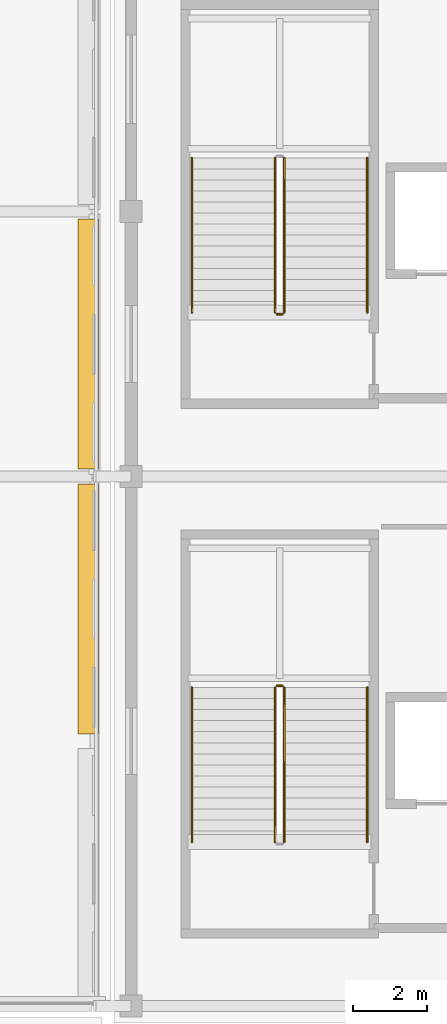
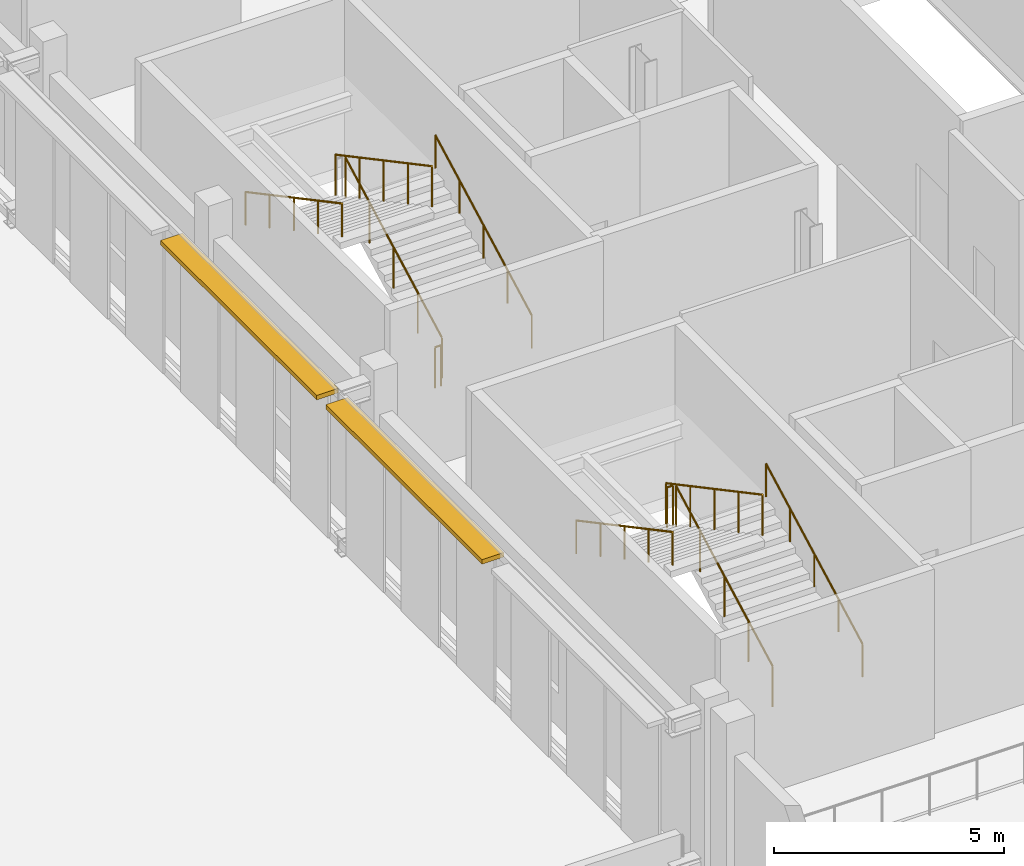
# One storey, part 52 of 74: 10 railings, 2 shading devices.
"""IFC4 building model written with IfcOpenShell, lengths in metres."""

from ifc_helpers import new_model, si_unit, direction, frame, origin, origin_2d, place, context, subcontext, project, spatial, rectangle, circle, extrude, material, type_object, element, save


model = new_model("IFC4")

# Units and contexts
model_context = context("Model", 3, precision=1e-05, world=origin(), true_north=direction((0.0, 1.0)))
body_context = subcontext(model_context, "Body", "Model", "MODEL_VIEW")
ifc_project = project(units=[si_unit("LENGTHUNIT", "METRE"), si_unit("AREAUNIT", "SQUARE_METRE"), si_unit("VOLUMEUNIT", "CUBIC_METRE"), si_unit("PLANEANGLEUNIT", "RADIAN"), si_unit("MASSUNIT", "GRAM", prefix="KILO")], contexts=[model_context])

# Site, building, storey
site_placement = place(None, origin())
site = spatial("IfcSite", under=ifc_project, at=site_placement, CompositionType="ELEMENT")
building_placement = place(site_placement, origin())
building = spatial("IfcBuilding", under=site, at=building_placement, Name="Koshinbarg Plaza Stadium", CompositionType="ELEMENT")
storey_placement = place(building_placement, frame((0.0, 0.0, 15.0)))
storey = spatial("IfcBuildingStorey", under=building, at=storey_placement, Name="L03", CompositionType="ELEMENT", Elevation=15.0)

# Railings
ifc_material_1 = material(Name="Galvanized painted steel guardrail", Category="steel")
railing_type_1 = type_object("IfcRailingType", Name="RL-GUARD-1100", PredefinedType="GUARDRAIL", material=ifc_material_1)
railing_1_placement = place(storey_placement, frame((28.760009765625, 29.9599609375, 0.159912109375)))
element("IfcRailing", 1, at=railing_1_placement, inside=storey, type_object=railing_type_1, Name="L03 C01 stair guard 1", PredefinedType="GUARDRAIL", context=body_context, shape_type="SweptSolid", body=[
    extrude(circle(Radius=0.02392578125, at=origin_2d()), frame((0.0, 0.0, 1.076171875), z_axis=(0.0, 0.882351521365, 0.470590897432), x_axis=(-1.0, 0.0, 0.0)), (0.0, 0.0, 1.0), 4.760009765625),
    extrude(circle(Radius=0.02099609375, at=origin_2d()), origin(), (0.0, 0.0, 1.0), 1.052001953125),
    extrude(circle(Radius=0.02099609375, at=origin_2d()), frame((0.0, 1.050048828125, 0.56005859375)), (0.0, 0.0, 1.0), 1.052001953125),
    extrude(circle(Radius=0.02099609375, at=origin_2d()), frame((0.0, 2.10009765625, 1.1201171875)), (0.0, 0.0, 1.0), 1.052001953125),
    extrude(circle(Radius=0.02099609375, at=origin_2d()), frame((0.0, 3.14990234375, 1.679931640625)), (0.0, 0.0, 1.0), 1.052001953125),
    extrude(circle(Radius=0.02099609375, at=origin_2d()), frame((0.0, 4.199951171875, 2.239990234375)), (0.0, 0.0, 1.0), 1.052001953125),
])
railing_2_placement = place(storey_placement, frame((28.7099609375, 34.2099609375, 2.39990234375)))
element("IfcRailing", 2, at=railing_2_placement, inside=storey, type_object=railing_type_1, Name="L03 C01 stair guard 2", PredefinedType="GUARDRAIL", context=body_context, shape_type="SweptSolid", body=[
    extrude(circle(Radius=0.02392578125, at=origin_2d()), frame((0.0, 0.0, 1.076171875), z_axis=(-1.0, 0.0, 0.0), x_axis=(0.0, -1.0, 0.0)), (0.0, 0.0, 1.0), 0.14990234375),
    extrude(circle(Radius=0.02099609375, at=origin_2d()), origin(), (0.0, 0.0, 1.0), 1.052001953125),
    extrude(circle(Radius=0.02099609375, at=origin_2d()), frame((-0.14990234375, 0.0, 0.0)), (0.0, 0.0, 1.0), 1.052001953125),
])
railing_3_placement = place(storey_placement, frame((28.510009765625, 34.159912109375, 2.56005859375)))
element("IfcRailing", 3, at=railing_3_placement, inside=storey, type_object=railing_type_1, Name="L03 C01 stair guard 3", PredefinedType="GUARDRAIL", context=body_context, shape_type="SweptSolid", body=[
    extrude(circle(Radius=0.02392578125, at=origin_2d()), frame((0.0, 0.0, 1.076171875), z_axis=(0.0, -0.882351521365, 0.470590897432), x_axis=(1.0, 0.0, 0.0)), (0.0, 0.0, 1.0), 4.760009765625),
    extrude(circle(Radius=0.02099609375, at=origin_2d()), origin(), (0.0, 0.0, 1.0), 1.052001953125),
    extrude(circle(Radius=0.02099609375, at=origin_2d()), frame((0.0, -1.050048828125, 0.56005859375)), (0.0, 0.0, 1.0), 1.052001953125),
    extrude(circle(Radius=0.02099609375, at=origin_2d()), frame((0.0, -2.10009765625, 1.1201171875)), (0.0, 0.0, 1.0), 1.052001953125),
    extrude(circle(Radius=0.02099609375, at=origin_2d()), frame((0.0, -3.14990234375, 1.679931640625)), (0.0, 0.0, 1.0), 1.052001953125),
    extrude(circle(Radius=0.02099609375, at=origin_2d()), frame((0.0, -4.199951171875, 2.239990234375)), (0.0, 0.0, 1.0), 1.052001953125),
])
railing_4_placement = place(storey_placement, frame((28.760009765625, 44.360107421875, 0.159912109375)))
element("IfcRailing", 4, at=railing_4_placement, inside=storey, type_object=railing_type_1, Name="L03 C02 stair guard 1", PredefinedType="GUARDRAIL", context=body_context, shape_type="SweptSolid", body=[
    extrude(circle(Radius=0.02392578125, at=origin_2d()), frame((0.0, 0.0, 1.076171875), z_axis=(0.0, 0.882351521365, 0.470590897432), x_axis=(-1.0, 0.0, 0.0)), (0.0, 0.0, 1.0), 4.760009765625),
    extrude(circle(Radius=0.02099609375, at=origin_2d()), origin(), (0.0, 0.0, 1.0), 1.052001953125),
    extrude(circle(Radius=0.02099609375, at=origin_2d()), frame((0.0, 1.050048828125, 0.56005859375)), (0.0, 0.0, 1.0), 1.052001953125),
    extrude(circle(Radius=0.02099609375, at=origin_2d()), frame((0.0, 2.10009765625, 1.1201171875)), (0.0, 0.0, 1.0), 1.052001953125),
    extrude(circle(Radius=0.02099609375, at=origin_2d()), frame((0.0, 3.14990234375, 1.679931640625)), (0.0, 0.0, 1.0), 1.052001953125),
    extrude(circle(Radius=0.02099609375, at=origin_2d()), frame((0.0, 4.199951171875, 2.239990234375)), (0.0, 0.0, 1.0), 1.052001953125),
])
railing_5_placement = place(storey_placement, frame((28.510009765625, 48.56005859375, 2.56005859375)))
element("IfcRailing", 5, at=railing_5_placement, inside=storey, type_object=railing_type_1, Name="L03 C02 stair guard 3", PredefinedType="GUARDRAIL", context=body_context, shape_type="SweptSolid", body=[
    extrude(circle(Radius=0.02392578125, at=origin_2d()), frame((0.0, 0.0, 1.076171875), z_axis=(0.0, -0.882351521365, 0.470590897432), x_axis=(1.0, 0.0, 0.0)), (0.0, 0.0, 1.0), 4.760009765625),
    extrude(circle(Radius=0.02099609375, at=origin_2d()), origin(), (0.0, 0.0, 1.0), 1.052001953125),
    extrude(circle(Radius=0.02099609375, at=origin_2d()), frame((0.0, -1.050048828125, 0.56005859375)), (0.0, 0.0, 1.0), 1.052001953125),
    extrude(circle(Radius=0.02099609375, at=origin_2d()), frame((0.0, -2.10009765625, 1.1201171875)), (0.0, 0.0, 1.0), 1.052001953125),
    extrude(circle(Radius=0.02099609375, at=origin_2d()), frame((0.0, -3.14990234375, 1.679931640625)), (0.0, 0.0, 1.0), 1.052001953125),
    extrude(circle(Radius=0.02099609375, at=origin_2d()), frame((0.0, -4.199951171875, 2.239990234375)), (0.0, 0.0, 1.0), 1.052001953125),
])
railing_6_placement = place(storey_placement, frame((28.7099609375, 44.31005859375, 0.0)))
element("IfcRailing", 6, at=railing_6_placement, inside=storey, type_object=railing_type_1, Name="L03 C02 stair guard 4", PredefinedType="GUARDRAIL", context=body_context, shape_type="SweptSolid", body=[
    extrude(circle(Radius=0.02392578125, at=origin_2d()), frame((0.0, 0.0, 1.076171875), z_axis=(-1.0, 0.0, 0.0), x_axis=(0.0, -1.0, 0.0)), (0.0, 0.0, 1.0), 0.14990234375),
    extrude(circle(Radius=0.02099609375, at=origin_2d()), origin(), (0.0, 0.0, 1.0), 1.052001953125),
    extrude(circle(Radius=0.02099609375, at=origin_2d()), frame((-0.14990234375, 0.0, 0.0)), (0.0, 0.0, 1.0), 1.052001953125),
])
ifc_material_2 = material(Name="Brushed stainless steel handrail", Category="steel")
railing_type_2 = type_object("IfcRailingType", Name="RL-HAND-900", PredefinedType="HANDRAIL", material=ifc_material_2)
railing_7_placement = place(storey_placement, frame((31.02001953125, 29.9599609375, 0.159912109375)))
element("IfcRailing", 7, at=railing_7_placement, inside=storey, type_object=railing_type_2, Name="L03 C01 stair handrail 1", PredefinedType="HANDRAIL", context=body_context, shape_type="SweptSolid", body=[
    extrude(circle(Radius=0.02392578125, at=origin_2d()), frame((0.0, 0.0, 0.8759765625), z_axis=(0.0, 0.882351521365, 0.470590897432), x_axis=(-1.0, 0.0, 0.0)), (0.0, 0.0, 1.0), 4.760009765625),
    extrude(circle(Radius=0.02099609375, at=origin_2d()), origin(), (0.0, 0.0, 1.0), 0.851806640625),
    extrude(circle(Radius=0.02099609375, at=origin_2d()), frame((0.0, 1.050048828125, 0.56005859375)), (0.0, 0.0, 1.0), 0.851806640625),
    extrude(circle(Radius=0.02099609375, at=origin_2d()), frame((0.0, 2.10009765625, 1.1201171875)), (0.0, 0.0, 1.0), 0.851806640625),
    extrude(circle(Radius=0.02099609375, at=origin_2d()), frame((0.0, 3.14990234375, 1.679931640625)), (0.0, 0.0, 1.0), 0.851806640625),
    extrude(circle(Radius=0.02099609375, at=origin_2d()), frame((0.0, 4.199951171875, 2.239990234375)), (0.0, 0.0, 1.0), 0.851806640625),
])
railing_8_placement = place(storey_placement, frame((26.25, 34.159912109375, 2.56005859375)))
element("IfcRailing", 8, at=railing_8_placement, inside=storey, type_object=railing_type_2, Name="L03 C01 stair handrail 2", PredefinedType="HANDRAIL", context=body_context, shape_type="SweptSolid", body=[
    extrude(circle(Radius=0.02392578125, at=origin_2d()), frame((0.0, 0.0, 0.8759765625), z_axis=(0.0, -0.882351521365, 0.470590897432), x_axis=(1.0, 0.0, 0.0)), (0.0, 0.0, 1.0), 4.760009765625),
    extrude(circle(Radius=0.02099609375, at=origin_2d()), origin(), (0.0, 0.0, 1.0), 0.851806640625),
    extrude(circle(Radius=0.02099609375, at=origin_2d()), frame((0.0, -1.050048828125, 0.56005859375)), (0.0, 0.0, 1.0), 0.851806640625),
    extrude(circle(Radius=0.02099609375, at=origin_2d()), frame((0.0, -2.10009765625, 1.1201171875)), (0.0, 0.0, 1.0), 0.851806640625),
    extrude(circle(Radius=0.02099609375, at=origin_2d()), frame((0.0, -3.14990234375, 1.679931640625)), (0.0, 0.0, 1.0), 0.851806640625),
    extrude(circle(Radius=0.02099609375, at=origin_2d()), frame((0.0, -4.199951171875, 2.239990234375)), (0.0, 0.0, 1.0), 0.851806640625),
])
railing_9_placement = place(storey_placement, frame((31.02001953125, 44.360107421875, 0.159912109375)))
element("IfcRailing", 9, at=railing_9_placement, inside=storey, type_object=railing_type_2, Name="L03 C02 stair handrail 1", PredefinedType="HANDRAIL", context=body_context, shape_type="SweptSolid", body=[
    extrude(circle(Radius=0.02392578125, at=origin_2d()), frame((0.0, 0.0, 0.8759765625), z_axis=(0.0, 0.882351521365, 0.470590897432), x_axis=(-1.0, 0.0, 0.0)), (0.0, 0.0, 1.0), 4.760009765625),
    extrude(circle(Radius=0.02099609375, at=origin_2d()), origin(), (0.0, 0.0, 1.0), 0.851806640625),
    extrude(circle(Radius=0.02099609375, at=origin_2d()), frame((0.0, 1.050048828125, 0.56005859375)), (0.0, 0.0, 1.0), 0.851806640625),
    extrude(circle(Radius=0.02099609375, at=origin_2d()), frame((0.0, 2.10009765625, 1.1201171875)), (0.0, 0.0, 1.0), 0.851806640625),
    extrude(circle(Radius=0.02099609375, at=origin_2d()), frame((0.0, 3.14990234375, 1.679931640625)), (0.0, 0.0, 1.0), 0.851806640625),
    extrude(circle(Radius=0.02099609375, at=origin_2d()), frame((0.0, 4.199951171875, 2.239990234375)), (0.0, 0.0, 1.0), 0.851806640625),
])
railing_10_placement = place(storey_placement, frame((26.25, 48.56005859375, 2.56005859375)))
element("IfcRailing", 10, at=railing_10_placement, inside=storey, type_object=railing_type_2, Name="L03 C02 stair handrail 2", PredefinedType="HANDRAIL", context=body_context, shape_type="SweptSolid", body=[
    extrude(circle(Radius=0.02392578125, at=origin_2d()), frame((0.0, 0.0, 0.8759765625), z_axis=(0.0, -0.882351521365, 0.470590897432), x_axis=(1.0, 0.0, 0.0)), (0.0, 0.0, 1.0), 4.760009765625),
    extrude(circle(Radius=0.02099609375, at=origin_2d()), origin(), (0.0, 0.0, 1.0), 0.851806640625),
    extrude(circle(Radius=0.02099609375, at=origin_2d()), frame((0.0, -1.050048828125, 0.56005859375)), (0.0, 0.0, 1.0), 0.851806640625),
    extrude(circle(Radius=0.02099609375, at=origin_2d()), frame((0.0, -2.10009765625, 1.1201171875)), (0.0, 0.0, 1.0), 0.851806640625),
    extrude(circle(Radius=0.02099609375, at=origin_2d()), frame((0.0, -3.14990234375, 1.679931640625)), (0.0, 0.0, 1.0), 0.851806640625),
    extrude(circle(Radius=0.02099609375, at=origin_2d()), frame((0.0, -4.199951171875, 2.239990234375)), (0.0, 0.0, 1.0), 0.851806640625),
])

# Shading devices
ifc_material_3 = material(Name="Off-white powder-coated aluminium sun-baffle louvre", Category="aluminium")
shading_device_type = type_object("IfcShadingDeviceType", Name="SHD-LOUVRE-01", PredefinedType="USERDEFINED", material=ifc_material_3)
for number, where, z_axis, x_axis, name in (
    (11, (23.429931640625, 36.300048828125, 4.119873046875), (0.0, 0.0, 1.0), (1.0, 0.0, 0.0), "L03 solar brise-soleil louvre 02"),
    (12, (23.429931640625, 43.5, 4.119873046875), (0.0, 0.0, 1.0), (1.0, 0.0, 0.0), "L03 solar brise-soleil louvre 03"),
):
    element("IfcShadingDevice", number, at=place(storey_placement, frame(where, z_axis=z_axis, x_axis=x_axis)), inside=storey, type_object=shading_device_type, Name=name, ObjectType="LOUVRE", PredefinedType="USERDEFINED", context=body_context, shape_type="SweptSolid", body=[
        extrude(rectangle(XDim=0.550048828125, YDim=6.800048828125, at=origin_2d()), origin(), (0.0, 0.0, 1.0), 0.1201171875),
    ])

save(model, "model.ifc")
